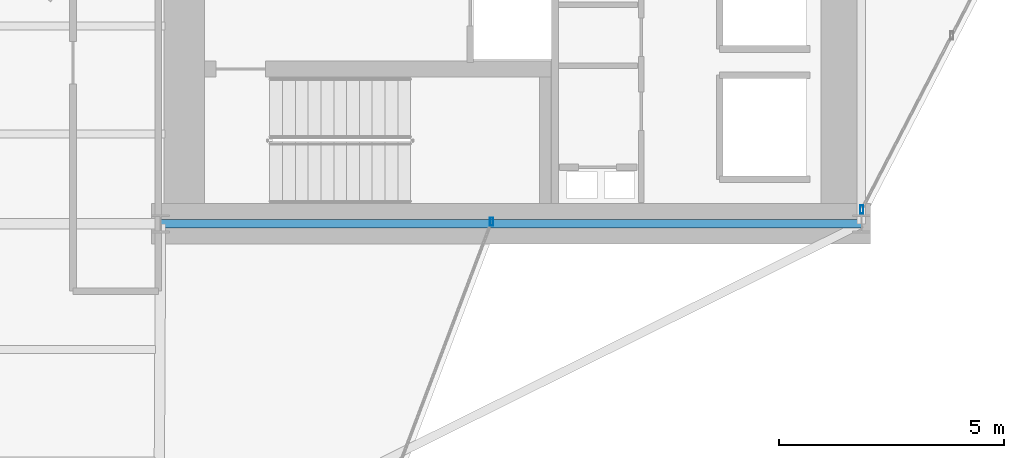
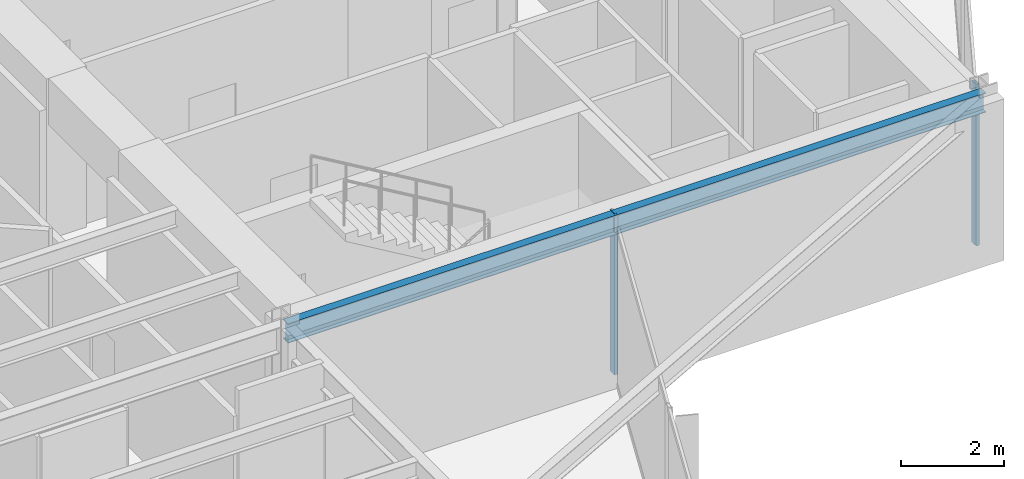
# One storey, part 15 of 28: 2 members, 1 beam, 2 elements without a shape of their own.
"""IFC4 building model written with IfcOpenShell, lengths in metres."""

import ifcopenshell
import ifcopenshell.guid

model = None  # the IFC model being written
_history = None  # IfcOwnerHistory: only IFC2X3 demands one
_inside = {}  # id of a spatial element -> (the spatial element, [elements in it])
_under = {}  # id of a project, library or spatial element -> (it, [spatial elements below it])
_declared = {}  # id of a project -> (the project, [libraries it declares])
_typed = {}  # id of a type object -> (the type object, [elements of that type])
_made_of = {}  # id of a material, layer set ... -> (it, [elements and type objects made of it])


def new_model(schema):
    """Start an empty IFC model of exactly this schema.

    Asked for "IFC4X3", IfcOpenShell would pick the latest addendum, in which some entities
    have other attributes; the version numbers below select the first issue.
    IFC2X3 requires an IfcOwnerHistory on every rooted entity: one is made here for all.
    """
    global model, _history
    if schema == "IFC4X3":
        model = ifcopenshell.file(schema_version=(4, 3, 0, 0))
    else:
        model = ifcopenshell.file(schema=schema)
    _inside.clear()
    _under.clear()
    _declared.clear()
    _typed.clear()
    _made_of.clear()
    _history = None
    if model.schema == "IFC2X3":
        org = make("IfcOrganization", Name="unknown")
        user = make(
            "IfcPersonAndOrganization",
            ThePerson=make("IfcPerson", FamilyName="unknown"),
            TheOrganization=org,
        )
        app = make(
            "IfcApplication",
            ApplicationDeveloper=org,
            Version="unknown",
            ApplicationFullName="unknown",
            ApplicationIdentifier="unknown",
        )
        _history = make(
            "IfcOwnerHistory",
            OwningUser=user,
            OwningApplication=app,
            ChangeAction="ADDED",
            CreationDate=0,
        )
    return model


def make(cls, **values):
    """One entity of the class cls with the attributes given. An attribute that is None is left unset."""
    return model.create_entity(
        cls, **{name: value for name, value in values.items() if value is not None}
    )


def rooted(cls, **values):
    """An entity with a GlobalId (a new one), such as an element, a storey or a relation."""
    return make(cls, GlobalId=ifcopenshell.guid.new(), OwnerHistory=_history, **values)


def si_unit(unit_type, name, prefix=None):
    """IfcSIUnit, for example si_unit("LENGTHUNIT", "METRE", prefix="MILLI")."""
    return make("IfcSIUnit", UnitType=unit_type, Prefix=prefix, Name=name)


def assignment(units):
    """IfcUnitAssignment: the units of a project."""
    return None if units is None else make("IfcUnitAssignment", Units=units)


def point(xyz):
    """IfcCartesianPoint."""
    return None if xyz is None else make("IfcCartesianPoint", Coordinates=xyz)


def direction(xyz):
    """IfcDirection."""
    return None if xyz is None else make("IfcDirection", DirectionRatios=xyz)


def frame(location, z_axis=None, x_axis=None):
    """IfcAxis2Placement3D, a coordinate frame: its origin and axes. An axis left out is left unset."""
    return make(
        "IfcAxis2Placement3D",
        Location=point(location),
        Axis=direction(z_axis),
        RefDirection=direction(x_axis),
    )


def frame_2d(location, x_axis=None):
    """IfcAxis2Placement2D, a coordinate frame in the plane: its origin and x axis."""
    return make(
        "IfcAxis2Placement2D", Location=point(location), RefDirection=direction(x_axis)
    )


def origin():
    """The frame at (0, 0, 0) with its axes left unset."""
    return frame((0.0, 0.0, 0.0))


def origin_2d():
    """The frame at (0, 0) in the plane with its x axis left unset."""
    return frame_2d((0.0, 0.0))


def place(relative_to, where):
    """IfcLocalPlacement: puts the frame where relative to a parent placement (None: the world)."""
    return make(
        "IfcLocalPlacement", PlacementRelTo=relative_to, RelativePlacement=where
    )


def context(
    kind, dimensions, precision=None, world=None, true_north=None, identifier=None
):
    """IfcGeometricRepresentationContext, for example the 3D "Model" context."""
    return make(
        "IfcGeometricRepresentationContext",
        ContextIdentifier=identifier,
        ContextType=kind,
        CoordinateSpaceDimension=dimensions,
        Precision=precision,
        WorldCoordinateSystem=world,
        TrueNorth=true_north,
    )


def subcontext(parent, identifier, kind, view, scale=None):
    """IfcGeometricRepresentationSubContext, for example "Body" below "Model"."""
    return make(
        "IfcGeometricRepresentationSubContext",
        ContextIdentifier=identifier,
        ContextType=kind,
        ParentContext=parent,
        TargetScale=scale,
        TargetView=view,
    )


def project(units=None, contexts=None):
    """IfcProject with its units and contexts."""
    return rooted(
        "IfcProject",
        Name="project",
        RepresentationContexts=contexts,
        UnitsInContext=assignment(units),
    )


def spatial(cls, under=None, at=None, **own):
    """A site, building, storey or space (cls), placed at a placement, below another one or the project."""
    s = rooted(cls, ObjectPlacement=at, **own)
    if under is not None:
        _under.setdefault(under.id(), (under, []))[1].append(s)
    return s


def profile(cls, at=None, kind="AREA", **sizes):
    """A parametric profile (cls). Its sizes go by their IFC names, for example OverallWidth=200.0."""
    return make(cls, ProfileType=kind, Position=at, **sizes)


def hollow_rectangle(**sizes):
    """IfcRectangleHollowProfileDef."""
    return profile("IfcRectangleHollowProfileDef", **sizes)


def i_section(**sizes):
    """IfcIShapeProfileDef."""
    return profile("IfcIShapeProfileDef", **sizes)


def extrude(swept, where, along, depth):
    """IfcExtrudedAreaSolid: the profile swept, set in the frame where, extruded along a direction by depth."""
    return make(
        "IfcExtrudedAreaSolid",
        SweptArea=swept,
        Position=where,
        ExtrudedDirection=direction(along),
        Depth=depth,
    )


def shape(context_of_items, identifier, shape_type, items):
    """IfcShapeRepresentation: the items that make up one representation, for example the "Body"."""
    return make(
        "IfcShapeRepresentation",
        ContextOfItems=context_of_items,
        RepresentationIdentifier=identifier,
        RepresentationType=shape_type,
        Items=items,
    )


def material(Name=None, Category=None):
    """IfcMaterial."""
    return make("IfcMaterial", Name=Name, Category=Category)


def layer(
    of_material, thickness, ventilated=None, Name=None, Category=None, Priority=None
):
    """IfcMaterialLayer: one layer of a wall or slab, of a material (None: an air gap)."""
    return make(
        "IfcMaterialLayer",
        Material=of_material,
        LayerThickness=thickness,
        IsVentilated=ventilated,
        Name=Name,
        Category=Category,
        Priority=Priority,
    )


def layer_set(layers, Name=None):
    """IfcMaterialLayerSet."""
    return make("IfcMaterialLayerSet", MaterialLayers=layers, LayerSetName=Name)


def material_profile(
    of_material, cross_section, Name=None, Category=None, Priority=None
):
    """IfcMaterialProfile: a cross section and its material."""
    return make(
        "IfcMaterialProfile",
        Name=Name,
        Material=of_material,
        Profile=cross_section,
        Priority=Priority,
        Category=Category,
    )


def profile_set(profiles, Name=None, composite=None):
    """IfcMaterialProfileSet."""
    return make(
        "IfcMaterialProfileSet",
        Name=Name,
        MaterialProfiles=profiles,
        CompositeProfile=composite,
    )


def made_of(thing, what):
    """Note that an element or type object is made of a material, layer set ...; save() writes the relation."""
    if what is not None:
        _made_of.setdefault(what.id(), (what, []))[1].append(thing)
    return thing


def type_object(cls, material=None, **own):
    """A type object (cls), such as IfcWallType, which elements share."""
    return made_of(rooted(cls, **own), material)


def element(
    cls,
    number,
    at=None,
    inside=None,
    cuts=None,
    type_object=None,
    material=None,
    context=None,
    identifier="Body",
    shape_type=None,
    held_by="IfcProductDefinitionShape",
    body=None,
    shapes=None,
    **own,
):
    """One element of the class cls, such as IfcWall. Its Tag is "e" and its number.

    at: its placement. inside: the storey or other place that contains it. cuts: it is an
    opening in that element (IfcRelVoidsElement). A single representation is given by context,
    identifier, shape_type and body (its items); several are given by shapes. held_by: the class
    of the entity that holds the representations. save() writes the other relations.
    """
    e = rooted(cls, Tag="e%d" % number, ObjectPlacement=at, **own)
    if body is not None:
        shapes = [shape(context, identifier, shape_type, body)]
    if shapes is not None:
        e.Representation = make(held_by, Representations=shapes)
    if inside is not None:
        _inside.setdefault(inside.id(), (inside, []))[1].append(e)
    if cuts is not None:
        rooted(
            "IfcRelVoidsElement", RelatingBuildingElement=cuts, RelatedOpeningElement=e
        )
    if type_object is not None:
        _typed.setdefault(type_object.id(), (type_object, []))[1].append(e)
    return made_of(e, material)


def aggregate(whole, parts):
    """IfcRelAggregates: a whole, such as a stair, and the parts it consists of."""
    return rooted("IfcRelAggregates", RelatingObject=whole, RelatedObjects=parts)


def save(model, path):
    """Write the relations noted so far, then the file.

    IfcRelAggregates (storeys below a building ...), IfcRelContainedInSpatialStructure (elements
    in a storey), IfcRelDefinesByType, IfcRelAssociatesMaterial and IfcRelDeclares: one each for
    every whole, place, type object, material and project.
    """
    for whole, parts in _under.values():
        aggregate(whole, parts)
    for where, things in _inside.values():
        rooted(
            "IfcRelContainedInSpatialStructure",
            RelatedElements=things,
            RelatingStructure=where,
        )
    for kind, things in _typed.values():
        rooted("IfcRelDefinesByType", RelatedObjects=things, RelatingType=kind)
    for what, things in _made_of.values():
        rooted("IfcRelAssociatesMaterial", RelatedObjects=things, RelatingMaterial=what)
    for by, libraries in _declared.values():
        rooted("IfcRelDeclares", RelatingContext=by, RelatedDefinitions=libraries)
    model.write(path)


model = new_model("IFC4")

# Units and contexts
model_context = context("Model", 3, precision=1e-05, world=origin(), true_north=direction((0.0, 1.0)))
body_context = subcontext(model_context, "Body", "Model", "MODEL_VIEW")
ifc_project = project(units=[si_unit("LENGTHUNIT", "METRE"), si_unit("AREAUNIT", "SQUARE_METRE"), si_unit("VOLUMEUNIT", "CUBIC_METRE"), si_unit("PLANEANGLEUNIT", "RADIAN"), si_unit("MASSUNIT", "GRAM", prefix="KILO")], contexts=[model_context])

# Site, building, storey
site_placement = place(None, origin())
site = spatial("IfcSite", under=ifc_project, at=site_placement, CompositionType="ELEMENT")
building_placement = place(site_placement, origin())
building = spatial("IfcBuilding", under=site, at=building_placement, Name="Veymaron Broadcast Tower", CompositionType="ELEMENT")
storey_placement = place(building_placement, frame((0.0, 0.0, 45.89990234375)))
storey = spatial("IfcBuildingStorey", under=building, at=storey_placement, Name="L09", CompositionType="ELEMENT", Elevation=45.89990234375)

# Beam
ifc_material_1 = material(Name="Structural steel ASTM A992 Gr 50", Category="steel")
ifc_material_profile_1 = material_profile(ifc_material_1, i_section(OverallWidth=0.19091796875, OverallDepth=0.4599609375, WebThickness=0.010009765625, FlangeThickness=0.01611328125, at=origin_2d()), Name="W460X82")
ifc_profile_set_1 = profile_set([ifc_material_profile_1], Name="Structural steel ASTM A992 Gr 50")
beam_type = type_object("IfcBeamType", Name="BM-SP1", PredefinedType="SPANDREL", material=ifc_profile_set_1)
beam_placement = place(storey_placement, frame((39.0, 16.0, 3.580078125), z_axis=(1.0, 0.0, 0.0), x_axis=(0.0, 1.0, 0.0)))
element("IfcBeam", 1, at=beam_placement, inside=storey, type_object=beam_type, Name="L09 primary structural floor girder", PredefinedType="SPANDREL", context=body_context, shape_type="SweptSolid", body=[
    extrude(i_section(OverallWidth=0.19091796875, OverallDepth=0.4599609375, WebThickness=0.010009765625, FlangeThickness=0.01611328125, at=origin_2d()), origin(), (0.0, 0.0, 1.0), 15.60009765625),
])

# Curtain wall, member
ifc_material_2 = material(Name="Anodised aluminium AA 6063-T6 and laminated low-E dark glass", Category="aluminium")
ifc_layer = layer(ifc_material_2, 0.179931640625)
ifc_layer_set = layer_set([ifc_layer], Name="Anodised aluminium AA 6063-T6 and laminated low-E dark glass")
curtain_wall_type = type_object("IfcCurtainWallType", Name="CW-SYS-02", PredefinedType="NOTDEFINED", material=ifc_layer_set)
curtain_wall_1_placement = place(storey_placement, origin())
curtain_wall_1 = element("IfcCurtainWall", 2, at=curtain_wall_1_placement, inside=storey, type_object=curtain_wall_type, Name="L09 dark-glass curtain wall CW-L09-E2-1", PredefinedType="NOTDEFINED")
ifc_material_3 = material(Name="Anodised aluminium AA 6063-T6", Category="aluminium")
ifc_material_profile_2 = material_profile(ifc_material_3, hollow_rectangle(XDim=0.074951171875, YDim=0.179931640625, WallThickness=0.0048828125, at=origin_2d()), Name="AL180X75X5")
ifc_profile_set_2 = profile_set([ifc_material_profile_2], Name="Anodised aluminium AA 6063-T6")
member_type = type_object("IfcMemberType", Name="CW-MUL-02", PredefinedType="MULLION", material=ifc_profile_set_2)
member_1_placement = place(storey_placement, frame((54.607666015625, 16.319580078125, 0.0), z_axis=(0.0, 0.0, 1.0), x_axis=(1.0, 0.0, 0.0)))
member_1 = element("IfcMember", 3, at=member_1_placement, type_object=member_type, Name="CW-L09-E2-1 mullion 0", PredefinedType="MULLION", context=body_context, shape_type="SweptSolid", body=[
    extrude(hollow_rectangle(XDim=0.074951171875, YDim=0.179931640625, WallThickness=0.0048828125, at=origin_2d()), origin(), (0.0, 0.0, 1.0), 3.81005859375),
])
aggregate(curtain_wall_1, [member_1])

curtain_wall_2_placement = place(storey_placement, origin())
curtain_wall_2 = element("IfcCurtainWall", 4, at=curtain_wall_2_placement, inside=storey, type_object=curtain_wall_type, Name="L09 dark-glass curtain wall CW-L09-E20-1", PredefinedType="NOTDEFINED")
member_2_placement = place(storey_placement, frame((46.3662109375, 16.049560546875, 0.0), z_axis=(0.0, 0.0, 1.0), x_axis=(1.0, 0.0, 0.0)))
member_2 = element("IfcMember", 5, at=member_2_placement, type_object=member_type, Name="CW-L09-E20-1 mullion 2", PredefinedType="MULLION", context=body_context, shape_type="SweptSolid", body=[
    extrude(hollow_rectangle(XDim=0.074951171875, YDim=0.179931640625, WallThickness=0.0048828125, at=origin_2d()), origin(), (0.0, 0.0, 1.0), 3.81005859375),
])
aggregate(curtain_wall_2, [member_2])

save(model, "model.ifc")
